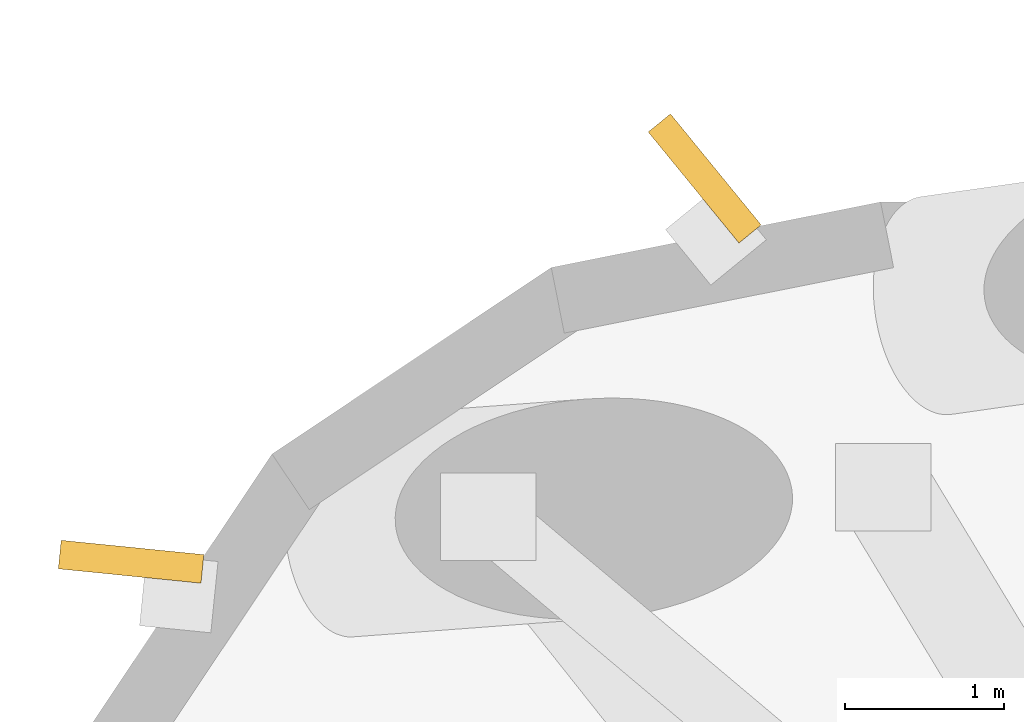
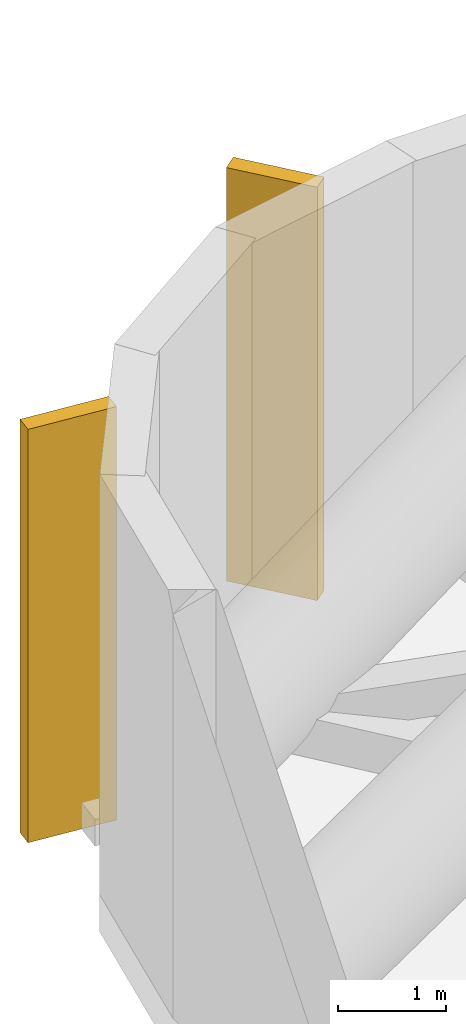
# One storey, part 14 of 16: 2 shading devices.
"""IFC4 building model written with IfcOpenShell, lengths in metres."""

from ifc_helpers import new_model, si_unit, direction, frame, origin, origin_2d, place, context, subcontext, project, spatial, rectangle, extrude, material, type_object, element, save


model = new_model("IFC4")

# Units and contexts
model_context = context("Model", 3, precision=1e-05, world=origin(), true_north=direction((0.0, 1.0)))
body_context = subcontext(model_context, "Body", "Model", "MODEL_VIEW")
ifc_project = project(units=[si_unit("LENGTHUNIT", "METRE"), si_unit("AREAUNIT", "SQUARE_METRE"), si_unit("VOLUMEUNIT", "CUBIC_METRE"), si_unit("PLANEANGLEUNIT", "RADIAN"), si_unit("MASSUNIT", "GRAM", prefix="KILO")], contexts=[model_context])

# Site, building, storey
site_placement = place(None, origin())
site = spatial("IfcSite", under=ifc_project, at=site_placement, CompositionType="ELEMENT")
building_placement = place(site_placement, origin())
building = spatial("IfcBuilding", under=site, at=building_placement, Name="Kolvaren Arena Tower", CompositionType="ELEMENT")
storey_placement = place(building_placement, frame((0.0, 0.0, 94.5)))
storey = spatial("IfcBuildingStorey", under=building, at=storey_placement, Name="L21", CompositionType="ELEMENT", Elevation=94.5)

# Shading devices
ifc_material = material(Name="Precast architectural concrete C50/60 rib fin", Category="concrete")
shading_device_type = type_object("IfcShadingDeviceType", Name="SHAD-FIN-28", PredefinedType="USERDEFINED", material=ifc_material)
for number, where, z_axis, x_axis, name in (
    (1, (5.04638671875, 49.6474609375, 0.02001953125), (0.0, 0.0, 1.0), (-0.632722898811, 0.774378288254, 0.0), "Precast 28-Deg Corner Rib Fin (L21)"),
    (2, (1.447021484375, 47.242431640625, 0.02001953125), (0.0, 0.0, 1.0), (-0.994971840066, 0.100155067151, 0.0), "Precast 28-Deg Corner Rib Fin (L21)"),
):
    element("IfcShadingDevice", number, at=place(storey_placement, frame(where, z_axis=z_axis, x_axis=x_axis)), inside=storey, type_object=shading_device_type, Name=name, ObjectType="FIN", PredefinedType="USERDEFINED", context=body_context, shape_type="SweptSolid", body=[
        extrude(rectangle(XDim=0.89990234375, YDim=0.179931640625, at=origin_2d()), origin(), (0.0, 0.0, 1.0), 4.669921875),
    ])

save(model, "model.ifc")
